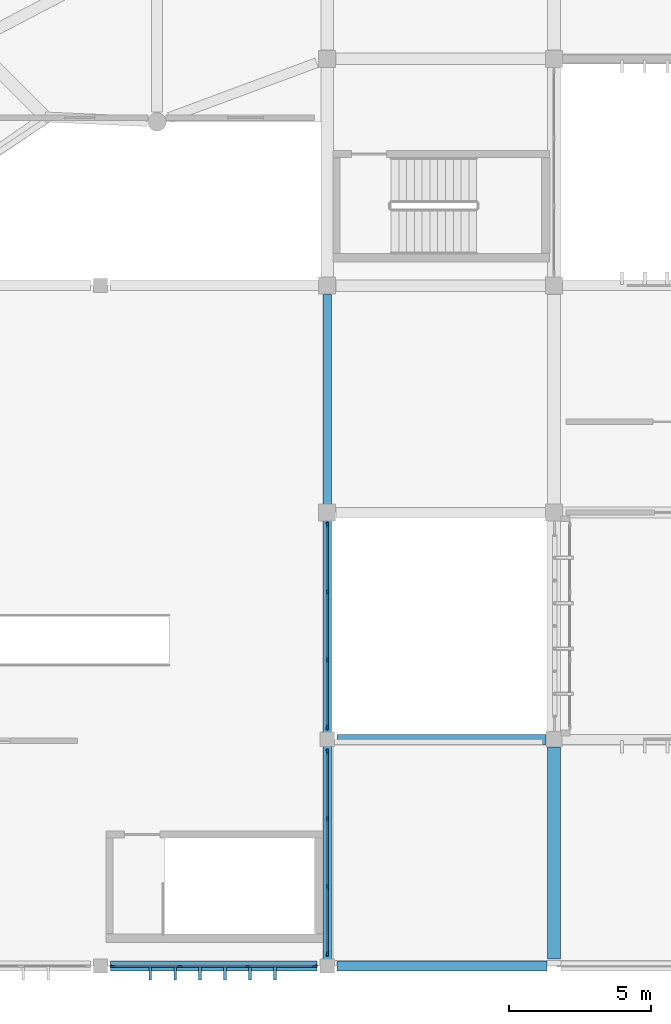
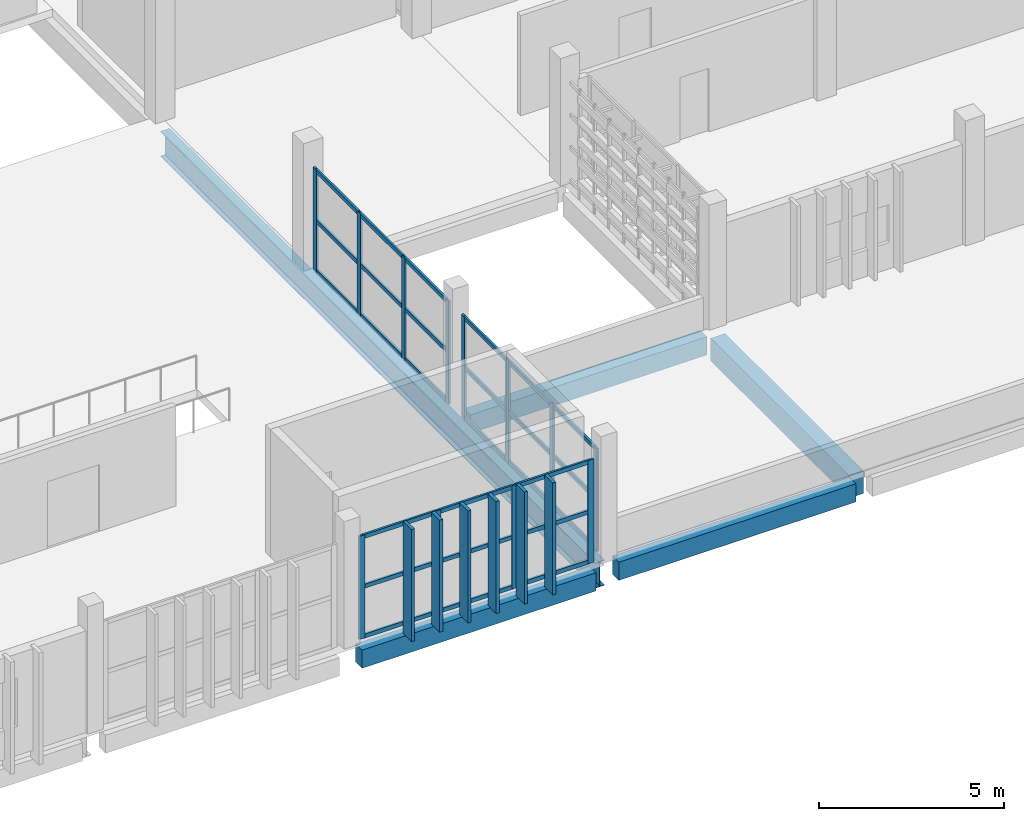
# One storey, part 10 of 137: 45 members, 5 beams, 3 elements without a shape of their own.
"""IFC4 building model written with IfcOpenShell, lengths in metres."""

import ifcopenshell
import ifcopenshell.guid

model = None  # the IFC model being written
_history = None  # IfcOwnerHistory: only IFC2X3 demands one
_inside = {}  # id of a spatial element -> (the spatial element, [elements in it])
_under = {}  # id of a project, library or spatial element -> (it, [spatial elements below it])
_declared = {}  # id of a project -> (the project, [libraries it declares])
_typed = {}  # id of a type object -> (the type object, [elements of that type])
_made_of = {}  # id of a material, layer set ... -> (it, [elements and type objects made of it])


def new_model(schema):
    """Start an empty IFC model of exactly this schema.

    Asked for "IFC4X3", IfcOpenShell would pick the latest addendum, in which some entities
    have other attributes; the version numbers below select the first issue.
    IFC2X3 requires an IfcOwnerHistory on every rooted entity: one is made here for all.
    """
    global model, _history
    if schema == "IFC4X3":
        model = ifcopenshell.file(schema_version=(4, 3, 0, 0))
    else:
        model = ifcopenshell.file(schema=schema)
    _inside.clear()
    _under.clear()
    _declared.clear()
    _typed.clear()
    _made_of.clear()
    _history = None
    if model.schema == "IFC2X3":
        org = make("IfcOrganization", Name="unknown")
        user = make(
            "IfcPersonAndOrganization",
            ThePerson=make("IfcPerson", FamilyName="unknown"),
            TheOrganization=org,
        )
        app = make(
            "IfcApplication",
            ApplicationDeveloper=org,
            Version="unknown",
            ApplicationFullName="unknown",
            ApplicationIdentifier="unknown",
        )
        _history = make(
            "IfcOwnerHistory",
            OwningUser=user,
            OwningApplication=app,
            ChangeAction="ADDED",
            CreationDate=0,
        )
    return model


def make(cls, **values):
    """One entity of the class cls with the attributes given. An attribute that is None is left unset."""
    return model.create_entity(
        cls, **{name: value for name, value in values.items() if value is not None}
    )


def rooted(cls, **values):
    """An entity with a GlobalId (a new one), such as an element, a storey or a relation."""
    return make(cls, GlobalId=ifcopenshell.guid.new(), OwnerHistory=_history, **values)


def si_unit(unit_type, name, prefix=None):
    """IfcSIUnit, for example si_unit("LENGTHUNIT", "METRE", prefix="MILLI")."""
    return make("IfcSIUnit", UnitType=unit_type, Prefix=prefix, Name=name)


def assignment(units):
    """IfcUnitAssignment: the units of a project."""
    return None if units is None else make("IfcUnitAssignment", Units=units)


def point(xyz):
    """IfcCartesianPoint."""
    return None if xyz is None else make("IfcCartesianPoint", Coordinates=xyz)


def direction(xyz):
    """IfcDirection."""
    return None if xyz is None else make("IfcDirection", DirectionRatios=xyz)


def frame(location, z_axis=None, x_axis=None):
    """IfcAxis2Placement3D, a coordinate frame: its origin and axes. An axis left out is left unset."""
    return make(
        "IfcAxis2Placement3D",
        Location=point(location),
        Axis=direction(z_axis),
        RefDirection=direction(x_axis),
    )


def frame_2d(location, x_axis=None):
    """IfcAxis2Placement2D, a coordinate frame in the plane: its origin and x axis."""
    return make(
        "IfcAxis2Placement2D", Location=point(location), RefDirection=direction(x_axis)
    )


def origin():
    """The frame at (0, 0, 0) with its axes left unset."""
    return frame((0.0, 0.0, 0.0))


def origin_2d():
    """The frame at (0, 0) in the plane with its x axis left unset."""
    return frame_2d((0.0, 0.0))


def place(relative_to, where):
    """IfcLocalPlacement: puts the frame where relative to a parent placement (None: the world)."""
    return make(
        "IfcLocalPlacement", PlacementRelTo=relative_to, RelativePlacement=where
    )


def context(
    kind, dimensions, precision=None, world=None, true_north=None, identifier=None
):
    """IfcGeometricRepresentationContext, for example the 3D "Model" context."""
    return make(
        "IfcGeometricRepresentationContext",
        ContextIdentifier=identifier,
        ContextType=kind,
        CoordinateSpaceDimension=dimensions,
        Precision=precision,
        WorldCoordinateSystem=world,
        TrueNorth=true_north,
    )


def subcontext(parent, identifier, kind, view, scale=None):
    """IfcGeometricRepresentationSubContext, for example "Body" below "Model"."""
    return make(
        "IfcGeometricRepresentationSubContext",
        ContextIdentifier=identifier,
        ContextType=kind,
        ParentContext=parent,
        TargetScale=scale,
        TargetView=view,
    )


def project(units=None, contexts=None):
    """IfcProject with its units and contexts."""
    return rooted(
        "IfcProject",
        Name="project",
        RepresentationContexts=contexts,
        UnitsInContext=assignment(units),
    )


def spatial(cls, under=None, at=None, **own):
    """A site, building, storey or space (cls), placed at a placement, below another one or the project."""
    s = rooted(cls, ObjectPlacement=at, **own)
    if under is not None:
        _under.setdefault(under.id(), (under, []))[1].append(s)
    return s


def profile(cls, at=None, kind="AREA", **sizes):
    """A parametric profile (cls). Its sizes go by their IFC names, for example OverallWidth=200.0."""
    return make(cls, ProfileType=kind, Position=at, **sizes)


def rectangle(**sizes):
    """IfcRectangleProfileDef."""
    return profile("IfcRectangleProfileDef", **sizes)


def i_section(**sizes):
    """IfcIShapeProfileDef."""
    return profile("IfcIShapeProfileDef", **sizes)


def extrude(swept, where, along, depth):
    """IfcExtrudedAreaSolid: the profile swept, set in the frame where, extruded along a direction by depth."""
    return make(
        "IfcExtrudedAreaSolid",
        SweptArea=swept,
        Position=where,
        ExtrudedDirection=direction(along),
        Depth=depth,
    )


def shape(context_of_items, identifier, shape_type, items):
    """IfcShapeRepresentation: the items that make up one representation, for example the "Body"."""
    return make(
        "IfcShapeRepresentation",
        ContextOfItems=context_of_items,
        RepresentationIdentifier=identifier,
        RepresentationType=shape_type,
        Items=items,
    )


def material(Name=None, Category=None):
    """IfcMaterial."""
    return make("IfcMaterial", Name=Name, Category=Category)


def layer(
    of_material, thickness, ventilated=None, Name=None, Category=None, Priority=None
):
    """IfcMaterialLayer: one layer of a wall or slab, of a material (None: an air gap)."""
    return make(
        "IfcMaterialLayer",
        Material=of_material,
        LayerThickness=thickness,
        IsVentilated=ventilated,
        Name=Name,
        Category=Category,
        Priority=Priority,
    )


def layer_set(layers, Name=None):
    """IfcMaterialLayerSet."""
    return make("IfcMaterialLayerSet", MaterialLayers=layers, LayerSetName=Name)


def material_profile(
    of_material, cross_section, Name=None, Category=None, Priority=None
):
    """IfcMaterialProfile: a cross section and its material."""
    return make(
        "IfcMaterialProfile",
        Name=Name,
        Material=of_material,
        Profile=cross_section,
        Priority=Priority,
        Category=Category,
    )


def profile_set(profiles, Name=None, composite=None):
    """IfcMaterialProfileSet."""
    return make(
        "IfcMaterialProfileSet",
        Name=Name,
        MaterialProfiles=profiles,
        CompositeProfile=composite,
    )


def made_of(thing, what):
    """Note that an element or type object is made of a material, layer set ...; save() writes the relation."""
    if what is not None:
        _made_of.setdefault(what.id(), (what, []))[1].append(thing)
    return thing


def type_object(cls, material=None, **own):
    """A type object (cls), such as IfcWallType, which elements share."""
    return made_of(rooted(cls, **own), material)


def element(
    cls,
    number,
    at=None,
    inside=None,
    cuts=None,
    type_object=None,
    material=None,
    context=None,
    identifier="Body",
    shape_type=None,
    held_by="IfcProductDefinitionShape",
    body=None,
    shapes=None,
    **own,
):
    """One element of the class cls, such as IfcWall. Its Tag is "e" and its number.

    at: its placement. inside: the storey or other place that contains it. cuts: it is an
    opening in that element (IfcRelVoidsElement). A single representation is given by context,
    identifier, shape_type and body (its items); several are given by shapes. held_by: the class
    of the entity that holds the representations. save() writes the other relations.
    """
    e = rooted(cls, Tag="e%d" % number, ObjectPlacement=at, **own)
    if body is not None:
        shapes = [shape(context, identifier, shape_type, body)]
    if shapes is not None:
        e.Representation = make(held_by, Representations=shapes)
    if inside is not None:
        _inside.setdefault(inside.id(), (inside, []))[1].append(e)
    if cuts is not None:
        rooted(
            "IfcRelVoidsElement", RelatingBuildingElement=cuts, RelatedOpeningElement=e
        )
    if type_object is not None:
        _typed.setdefault(type_object.id(), (type_object, []))[1].append(e)
    return made_of(e, material)


def aggregate(whole, parts):
    """IfcRelAggregates: a whole, such as a stair, and the parts it consists of."""
    return rooted("IfcRelAggregates", RelatingObject=whole, RelatedObjects=parts)


def save(model, path):
    """Write the relations noted so far, then the file.

    IfcRelAggregates (storeys below a building ...), IfcRelContainedInSpatialStructure (elements
    in a storey), IfcRelDefinesByType, IfcRelAssociatesMaterial and IfcRelDeclares: one each for
    every whole, place, type object, material and project.
    """
    for whole, parts in _under.values():
        aggregate(whole, parts)
    for where, things in _inside.values():
        rooted(
            "IfcRelContainedInSpatialStructure",
            RelatedElements=things,
            RelatingStructure=where,
        )
    for kind, things in _typed.values():
        rooted("IfcRelDefinesByType", RelatedObjects=things, RelatingType=kind)
    for what, things in _made_of.values():
        rooted("IfcRelAssociatesMaterial", RelatedObjects=things, RelatingMaterial=what)
    for by, libraries in _declared.values():
        rooted("IfcRelDeclares", RelatingContext=by, RelatedDefinitions=libraries)
    model.write(path)


model = new_model("IFC4")

# Units and contexts
model_context = context("Model", 3, precision=1e-05, world=origin(), true_north=direction((0.0, 1.0)))
body_context = subcontext(model_context, "Body", "Model", "MODEL_VIEW")
ifc_project = project(units=[si_unit("LENGTHUNIT", "METRE"), si_unit("AREAUNIT", "SQUARE_METRE"), si_unit("VOLUMEUNIT", "CUBIC_METRE"), si_unit("PLANEANGLEUNIT", "RADIAN"), si_unit("MASSUNIT", "GRAM", prefix="KILO")], contexts=[model_context])

# Site, building, storey
site_placement = place(None, origin())
site = spatial("IfcSite", under=ifc_project, at=site_placement, CompositionType="ELEMENT")
building_placement = place(site_placement, origin())
building = spatial("IfcBuilding", under=site, at=building_placement, Name="Jelvoka-Kovrelna Polytechnic", CompositionType="ELEMENT")
storey_placement = place(building_placement, frame((0.0, 0.0, 9.60009765625)))
storey = spatial("IfcBuildingStorey", under=building, at=storey_placement, Name="L03", CompositionType="ELEMENT", Elevation=9.60009765625)

# Beams
ifc_material_1 = material(Name="Concrete C40/50", Category="concrete")
ifc_material_profile_1 = material_profile(ifc_material_1, rectangle(XDim=0.449951171875, YDim=0.75, at=origin_2d()), Name="RC 450x750")
ifc_profile_set_1 = profile_set([ifc_material_profile_1], Name="Concrete C40/50")
beam_type_1 = type_object("IfcBeamType", Name="Beam_RC_450x750", PredefinedType="BEAM", material=ifc_profile_set_1)
beam_1_placement = place(storey_placement, frame((56.0, 0.2548828125, -0.565185546875), z_axis=(0.0, 1.0, 0.0), x_axis=(-1.0, 0.0, 0.0)))
element("IfcBeam", 1, at=beam_1_placement, inside=storey, type_object=beam_type_1, Name="L03 beam 2048", PredefinedType="BEAM", context=body_context, shape_type="SweptSolid", body=[
    extrude(rectangle(XDim=0.449951171875, YDim=0.75, at=origin_2d()), origin(), (0.0, 0.0, 1.0), 7.465087890625),
])
ifc_material_2 = material(Name="Structural steel S355JR", Category="steel")
ifc_material_profile_2 = material_profile(ifc_material_2, i_section(OverallWidth=0.291748046875, OverallDepth=0.8349609375, WebThickness=0.013916015625, FlangeThickness=0.018798828125, FilletRadius=0.017822265625, at=origin_2d()), Name="838x292x176 UB")
ifc_profile_set_2 = profile_set([ifc_material_profile_2], Name="Structural steel S355JR")
beam_type_2 = type_object("IfcBeamType", Name="Girder_Steel_UB838", PredefinedType="BEAM", material=ifc_profile_set_2)
beam_2_placement = place(storey_placement, frame((48.0, 0.22998046875, -0.70263671875), z_axis=(0.0, 1.0, 0.0), x_axis=(-1.0, 0.0, 0.0)))
element("IfcBeam", 2, at=beam_2_placement, inside=storey, type_object=beam_type_2, Name="L03 beam 0198", PredefinedType="BEAM", context=body_context, shape_type="SweptSolid", body=[
    extrude(i_section(OverallWidth=0.291748046875, OverallDepth=0.8349609375, WebThickness=0.013916015625, FlangeThickness=0.018798828125, FilletRadius=0.017822265625, at=origin_2d()), origin(), (0.0, 0.0, 1.0), 23.465087890625),
])

# Members
ifc_material_3 = material(Name="Precast concrete C40/50", Category="concrete")
ifc_material_profile_3 = material_profile(ifc_material_3, rectangle(XDim=0.10009765625, YDim=0.449951171875, at=origin_2d()), Name="PC 100x450")
ifc_profile_set_3 = profile_set([ifc_material_profile_3], Name="Precast concrete C40/50")
member_type_1 = type_object("IfcMemberType", Name="Louvre_Fin_100x450", PredefinedType="USERDEFINED", material=ifc_profile_set_3)
for number, where, z_axis, x_axis, name in (
    (3, (41.760009765625, -0.264892578125, -0.2900390625), (0.0, 0.0, 1.0), (1.0, 0.0, 0.0), "L03 V4 south solar louvre fin 2542"),
    (4, (42.639892578125, -0.264892578125, -0.2900390625), (0.0, 0.0, 1.0), (1.0, 0.0, 0.0), "L03 V4 south solar louvre fin 2543"),
    (5, (43.52001953125, -0.264892578125, -0.2900390625), (0.0, 0.0, 1.0), (1.0, 0.0, 0.0), "L03 V4 south solar louvre fin 2544"),
    (6, (44.39990234375, -0.264892578125, -0.2900390625), (0.0, 0.0, 1.0), (1.0, 0.0, 0.0), "L03 V4 south solar louvre fin 2545"),
    (7, (45.280029296875, -0.264892578125, -0.2900390625), (0.0, 0.0, 1.0), (1.0, 0.0, 0.0), "L03 V4 south solar louvre fin 2546"),
    (8, (46.159912109375, -0.264892578125, -0.2900390625), (0.0, 0.0, 1.0), (1.0, 0.0, 0.0), "L03 V4 south solar louvre fin 2547"),
):
    element("IfcMember", number, at=place(storey_placement, frame(where, z_axis=z_axis, x_axis=x_axis)), inside=storey, type_object=member_type_1, Name=name, ObjectType="SUNSHADE", PredefinedType="USERDEFINED", context=body_context, shape_type="SweptSolid", body=[
        extrude(rectangle(XDim=0.10009765625, YDim=0.449951171875, at=origin_2d()), origin(), (0.0, 0.0, 1.0), 3.68994140625),
    ])

# Curtain wall, members
ifc_material_4 = material(Name="Anodised aluminium 6063-T6", Category="aluminium")
ifc_layer = layer(ifc_material_4, 0.179931640625)
ifc_layer_set = layer_set([ifc_layer], Name="Anodised aluminium 6063-T6")
curtain_wall_type = type_object("IfcCurtainWallType", Name="CW_Pavilion", PredefinedType="NOTDEFINED", material=ifc_layer_set)
curtain_wall_1_placement = place(storey_placement, origin())
curtain_wall_1 = element("IfcCurtainWall", 9, at=curtain_wall_1_placement, inside=storey, type_object=curtain_wall_type, Name="L03 glazed curtain wall 287", PredefinedType="NOTDEFINED")
ifc_material_5 = material(Name="Anodised aluminium 6063-T6", Category="aluminium")
ifc_material_profile_4 = material_profile(ifc_material_5, rectangle(XDim=0.06494140625, YDim=0.179931640625, at=origin_2d()), Name="ALU 65x180")
ifc_profile_set_4 = profile_set([ifc_material_profile_4], Name="Anodised aluminium 6063-T6")
member_type_2 = type_object("IfcMemberType", Name="Mullion_M-05", PredefinedType="MULLION", material=ifc_profile_set_4)
member_1_placement = place(storey_placement, frame((47.5673828125, 0.0, -0.02490234375), z_axis=(0.0, 0.0, 1.0), x_axis=(0.0, -1.0, 0.0)))
member_1 = element("IfcMember", 10, at=member_1_placement, type_object=member_type_2, Name="CW-05 mullion 1", PredefinedType="MULLION", context=body_context, shape_type="SweptSolid", body=[
    extrude(rectangle(XDim=0.06494140625, YDim=0.179931640625, at=origin_2d()), origin(), (0.0, 0.0, 1.0), 3.39990234375),
])
member_2_placement = place(storey_placement, frame((45.199951171875, 0.0, -0.02490234375), z_axis=(0.0, 0.0, 1.0), x_axis=(0.0, -1.0, 0.0)))
member_2 = element("IfcMember", 11, at=member_2_placement, type_object=member_type_2, Name="CW-05 mullion 2", PredefinedType="MULLION", context=body_context, shape_type="SweptSolid", body=[
    extrude(rectangle(XDim=0.06494140625, YDim=0.179931640625, at=origin_2d()), origin(), (0.0, 0.0, 1.0), 3.39990234375),
])
member_3_placement = place(storey_placement, frame((42.800048828125, 0.0, -0.02490234375), z_axis=(0.0, 0.0, 1.0), x_axis=(0.0, -1.0, 0.0)))
member_3 = element("IfcMember", 12, at=member_3_placement, type_object=member_type_2, Name="CW-05 mullion 3", PredefinedType="MULLION", context=body_context, shape_type="SweptSolid", body=[
    extrude(rectangle(XDim=0.06494140625, YDim=0.179931640625, at=origin_2d()), origin(), (0.0, 0.0, 1.0), 3.39990234375),
])
member_4_placement = place(storey_placement, frame((40.4326171875, 0.0, -0.02490234375), z_axis=(0.0, 0.0, 1.0), x_axis=(0.0, -1.0, 0.0)))
member_4 = element("IfcMember", 13, at=member_4_placement, type_object=member_type_2, Name="CW-05 mullion 4", PredefinedType="MULLION", context=body_context, shape_type="SweptSolid", body=[
    extrude(rectangle(XDim=0.06494140625, YDim=0.179931640625, at=origin_2d()), origin(), (0.0, 0.0, 1.0), 3.39990234375),
])

curtain_wall_2_placement = place(storey_placement, origin())
curtain_wall_2 = element("IfcCurtainWall", 14, at=curtain_wall_2_placement, inside=storey, type_object=curtain_wall_type, Name="L03 glazed curtain wall 288", PredefinedType="NOTDEFINED")
member_5_placement = place(storey_placement, frame((48.0, 7.5673828125, -0.02490234375), z_axis=(0.0, 0.0, 1.0), x_axis=(1.0, 0.0, 0.0)))
member_5 = element("IfcMember", 15, at=member_5_placement, type_object=member_type_2, Name="CW-05 mullion 1", PredefinedType="MULLION", context=body_context, shape_type="SweptSolid", body=[
    extrude(rectangle(XDim=0.06494140625, YDim=0.179931640625, at=origin_2d()), origin(), (0.0, 0.0, 1.0), 3.39990234375),
])
member_6_placement = place(storey_placement, frame((48.0, 5.199951171875, -0.02490234375), z_axis=(0.0, 0.0, 1.0), x_axis=(1.0, 0.0, 0.0)))
member_6 = element("IfcMember", 16, at=member_6_placement, type_object=member_type_2, Name="CW-05 mullion 2", PredefinedType="MULLION", context=body_context, shape_type="SweptSolid", body=[
    extrude(rectangle(XDim=0.06494140625, YDim=0.179931640625, at=origin_2d()), origin(), (0.0, 0.0, 1.0), 3.39990234375),
])
member_7_placement = place(storey_placement, frame((48.0, 2.800048828125, -0.02490234375), z_axis=(0.0, 0.0, 1.0), x_axis=(1.0, 0.0, 0.0)))
member_7 = element("IfcMember", 17, at=member_7_placement, type_object=member_type_2, Name="CW-05 mullion 3", PredefinedType="MULLION", context=body_context, shape_type="SweptSolid", body=[
    extrude(rectangle(XDim=0.06494140625, YDim=0.179931640625, at=origin_2d()), origin(), (0.0, 0.0, 1.0), 3.39990234375),
])
member_8_placement = place(storey_placement, frame((48.0, 0.4326171875, -0.02490234375), z_axis=(0.0, 0.0, 1.0), x_axis=(1.0, 0.0, 0.0)))
member_8 = element("IfcMember", 18, at=member_8_placement, type_object=member_type_2, Name="CW-05 mullion 4", PredefinedType="MULLION", context=body_context, shape_type="SweptSolid", body=[
    extrude(rectangle(XDim=0.06494140625, YDim=0.179931640625, at=origin_2d()), origin(), (0.0, 0.0, 1.0), 3.39990234375),
])

curtain_wall_3_placement = place(storey_placement, origin())
curtain_wall_3 = element("IfcCurtainWall", 19, at=curtain_wall_3_placement, inside=storey, type_object=curtain_wall_type, Name="L03 glazed curtain wall 289", PredefinedType="NOTDEFINED")
member_9_placement = place(storey_placement, frame((48.0, 15.5673828125, -0.02490234375), z_axis=(0.0, 0.0, 1.0), x_axis=(1.0, 0.0, 0.0)))
member_9 = element("IfcMember", 20, at=member_9_placement, type_object=member_type_2, Name="CW-05 mullion 1", PredefinedType="MULLION", context=body_context, shape_type="SweptSolid", body=[
    extrude(rectangle(XDim=0.06494140625, YDim=0.179931640625, at=origin_2d()), origin(), (0.0, 0.0, 1.0), 3.39990234375),
])
member_10_placement = place(storey_placement, frame((48.0, 13.199951171875, -0.02490234375), z_axis=(0.0, 0.0, 1.0), x_axis=(1.0, 0.0, 0.0)))
member_10 = element("IfcMember", 21, at=member_10_placement, type_object=member_type_2, Name="CW-05 mullion 2", PredefinedType="MULLION", context=body_context, shape_type="SweptSolid", body=[
    extrude(rectangle(XDim=0.06494140625, YDim=0.179931640625, at=origin_2d()), origin(), (0.0, 0.0, 1.0), 3.39990234375),
])
member_11_placement = place(storey_placement, frame((48.0, 10.800048828125, -0.02490234375), z_axis=(0.0, 0.0, 1.0), x_axis=(1.0, 0.0, 0.0)))
member_11 = element("IfcMember", 22, at=member_11_placement, type_object=member_type_2, Name="CW-05 mullion 3", PredefinedType="MULLION", context=body_context, shape_type="SweptSolid", body=[
    extrude(rectangle(XDim=0.06494140625, YDim=0.179931640625, at=origin_2d()), origin(), (0.0, 0.0, 1.0), 3.39990234375),
])
member_12_placement = place(storey_placement, frame((48.0, 8.4326171875, -0.02490234375), z_axis=(0.0, 0.0, 1.0), x_axis=(1.0, 0.0, 0.0)))
member_12 = element("IfcMember", 23, at=member_12_placement, type_object=member_type_2, Name="CW-05 mullion 4", PredefinedType="MULLION", context=body_context, shape_type="SweptSolid", body=[
    extrude(rectangle(XDim=0.06494140625, YDim=0.179931640625, at=origin_2d()), origin(), (0.0, 0.0, 1.0), 3.39990234375),
])

# Beams
ifc_material_6 = material(Name="Concrete C40/50", Category="concrete")
ifc_material_profile_5 = material_profile(ifc_material_6, rectangle(XDim=0.35009765625, YDim=0.60009765625, at=origin_2d()), Name="RC 350x600")
ifc_profile_set_5 = profile_set([ifc_material_profile_5], Name="Concrete C40/50")
beam_type_3 = type_object("IfcBeamType", Name="Spandrel_RC_350x600", PredefinedType="SPANDREL", material=ifc_profile_set_5)
beam_3_placement = place(storey_placement, frame((40.35498046875, 0.0, -0.585205078125), z_axis=(1.0, 0.0, 0.0), x_axis=(0.0, 1.0, 0.0)))
element("IfcBeam", 24, at=beam_3_placement, inside=storey, type_object=beam_type_3, Name="L03 beam 0205", PredefinedType="SPANDREL", context=body_context, shape_type="SweptSolid", body=[
    extrude(rectangle(XDim=0.35009765625, YDim=0.60009765625, at=origin_2d()), origin(), (0.0, 0.0, 1.0), 7.2900390625),
])
beam_4_placement = place(storey_placement, frame((48.35498046875, 0.0, -0.489990234375), z_axis=(1.0, 0.0, 0.0), x_axis=(0.0, 1.0, 0.0)))
element("IfcBeam", 25, at=beam_4_placement, inside=storey, type_object=beam_type_3, Name="L03 beam 2033", PredefinedType="SPANDREL", context=body_context, shape_type="SweptSolid", body=[
    extrude(rectangle(XDim=0.35009765625, YDim=0.60009765625, at=origin_2d()), origin(), (0.0, 0.0, 1.0), 7.39013671875),
])
beam_5_placement = place(storey_placement, frame((48.35498046875, 8.0, -0.489990234375), z_axis=(1.0, 0.0, 0.0), x_axis=(0.0, 1.0, 0.0)))
element("IfcBeam", 26, at=beam_5_placement, inside=storey, type_object=beam_type_3, Name="L03 beam 2047", PredefinedType="SPANDREL", context=body_context, shape_type="SweptSolid", body=[
    extrude(rectangle(XDim=0.35009765625, YDim=0.60009765625, at=origin_2d()), origin(), (0.0, 0.0, 1.0), 7.364990234375),
])

# Member
ifc_material_7 = material(Name="Anodised aluminium 6063-T6", Category="aluminium")
ifc_material_profile_6 = material_profile(ifc_material_7, rectangle(XDim=0.06494140625, YDim=0.135009765625, at=origin_2d()), Name="ALU 65x135")
ifc_profile_set_6 = profile_set([ifc_material_profile_6], Name="Anodised aluminium 6063-T6")
member_type_3 = type_object("IfcMemberType", Name="Transom_T-05", PredefinedType="USERDEFINED", material=ifc_profile_set_6)
member_13_placement = place(storey_placement, frame((47.534912109375, 0.0, 0.032470703125), z_axis=(-1.0, 0.0, 0.0), x_axis=(0.0, -1.0, 0.0)))
member_13 = element("IfcMember", 27, at=member_13_placement, type_object=member_type_3, Name="CW-05 transom 1.1", ObjectType="TRANSOM", PredefinedType="USERDEFINED", context=body_context, shape_type="SweptSolid", body=[
    extrude(rectangle(XDim=0.06494140625, YDim=0.135009765625, at=origin_2d()), origin(), (0.0, 0.0, 1.0), 2.302490234375),
])

member_14_placement = place(storey_placement, frame((47.534912109375, 0.0, 1.6748046875), z_axis=(-1.0, 0.0, 0.0), x_axis=(0.0, -1.0, 0.0)))
member_14 = element("IfcMember", 28, at=member_14_placement, type_object=member_type_3, Name="CW-05 transom 1.2", ObjectType="TRANSOM", PredefinedType="USERDEFINED", context=body_context, shape_type="SweptSolid", body=[
    extrude(rectangle(XDim=0.06494140625, YDim=0.135009765625, at=origin_2d()), origin(), (0.0, 0.0, 1.0), 2.302490234375),
])

member_15_placement = place(storey_placement, frame((47.534912109375, 0.0, 3.3173828125), z_axis=(-1.0, 0.0, 0.0), x_axis=(0.0, -1.0, 0.0)))
member_15 = element("IfcMember", 29, at=member_15_placement, type_object=member_type_3, Name="CW-05 transom 1.3", ObjectType="TRANSOM", PredefinedType="USERDEFINED", context=body_context, shape_type="SweptSolid", body=[
    extrude(rectangle(XDim=0.06494140625, YDim=0.135009765625, at=origin_2d()), origin(), (0.0, 0.0, 1.0), 2.302490234375),
])

member_16_placement = place(storey_placement, frame((45.16748046875, 0.0, 0.032470703125), z_axis=(-1.0, 0.0, 0.0), x_axis=(0.0, -1.0, 0.0)))
member_16 = element("IfcMember", 30, at=member_16_placement, type_object=member_type_3, Name="CW-05 transom 2.1", ObjectType="TRANSOM", PredefinedType="USERDEFINED", context=body_context, shape_type="SweptSolid", body=[
    extrude(rectangle(XDim=0.06494140625, YDim=0.135009765625, at=origin_2d()), origin(), (0.0, 0.0, 1.0), 2.3349609375),
])

member_17_placement = place(storey_placement, frame((45.16748046875, 0.0, 1.6748046875), z_axis=(-1.0, 0.0, 0.0), x_axis=(0.0, -1.0, 0.0)))
member_17 = element("IfcMember", 31, at=member_17_placement, type_object=member_type_3, Name="CW-05 transom 2.2", ObjectType="TRANSOM", PredefinedType="USERDEFINED", context=body_context, shape_type="SweptSolid", body=[
    extrude(rectangle(XDim=0.06494140625, YDim=0.135009765625, at=origin_2d()), origin(), (0.0, 0.0, 1.0), 2.3349609375),
])

member_18_placement = place(storey_placement, frame((45.16748046875, 0.0, 3.3173828125), z_axis=(-1.0, 0.0, 0.0), x_axis=(0.0, -1.0, 0.0)))
member_18 = element("IfcMember", 32, at=member_18_placement, type_object=member_type_3, Name="CW-05 transom 2.3", ObjectType="TRANSOM", PredefinedType="USERDEFINED", context=body_context, shape_type="SweptSolid", body=[
    extrude(rectangle(XDim=0.06494140625, YDim=0.135009765625, at=origin_2d()), origin(), (0.0, 0.0, 1.0), 2.3349609375),
])

member_19_placement = place(storey_placement, frame((42.767578125, 0.0, 0.032470703125), z_axis=(-1.0, 0.0, 0.0), x_axis=(0.0, -1.0, 0.0)))
member_19 = element("IfcMember", 33, at=member_19_placement, type_object=member_type_3, Name="CW-05 transom 3.1", ObjectType="TRANSOM", PredefinedType="USERDEFINED", context=body_context, shape_type="SweptSolid", body=[
    extrude(rectangle(XDim=0.06494140625, YDim=0.135009765625, at=origin_2d()), origin(), (0.0, 0.0, 1.0), 2.302490234375),
])

member_20_placement = place(storey_placement, frame((42.767578125, 0.0, 1.6748046875), z_axis=(-1.0, 0.0, 0.0), x_axis=(0.0, -1.0, 0.0)))
member_20 = element("IfcMember", 34, at=member_20_placement, type_object=member_type_3, Name="CW-05 transom 3.2", ObjectType="TRANSOM", PredefinedType="USERDEFINED", context=body_context, shape_type="SweptSolid", body=[
    extrude(rectangle(XDim=0.06494140625, YDim=0.135009765625, at=origin_2d()), origin(), (0.0, 0.0, 1.0), 2.302490234375),
])

member_21_placement = place(storey_placement, frame((42.767578125, 0.0, 3.3173828125), z_axis=(-1.0, 0.0, 0.0), x_axis=(0.0, -1.0, 0.0)))
member_21 = element("IfcMember", 35, at=member_21_placement, type_object=member_type_3, Name="CW-05 transom 3.3", ObjectType="TRANSOM", PredefinedType="USERDEFINED", context=body_context, shape_type="SweptSolid", body=[
    extrude(rectangle(XDim=0.06494140625, YDim=0.135009765625, at=origin_2d()), origin(), (0.0, 0.0, 1.0), 2.302490234375),
])

aggregate(curtain_wall_1, [member_1, member_2, member_3, member_4, member_13, member_14, member_15, member_16, member_17, member_18, member_19, member_20, member_21])

member_22_placement = place(storey_placement, frame((48.0, 7.534912109375, 0.032470703125), z_axis=(0.0, -1.0, 0.0), x_axis=(1.0, 0.0, 0.0)))
member_22 = element("IfcMember", 36, at=member_22_placement, type_object=member_type_3, Name="CW-05 transom 1.1", ObjectType="TRANSOM", PredefinedType="USERDEFINED", context=body_context, shape_type="SweptSolid", body=[
    extrude(rectangle(XDim=0.06494140625, YDim=0.135009765625, at=origin_2d()), origin(), (0.0, 0.0, 1.0), 2.302490234375),
])

member_23_placement = place(storey_placement, frame((48.0, 7.534912109375, 1.6748046875), z_axis=(0.0, -1.0, 0.0), x_axis=(1.0, 0.0, 0.0)))
member_23 = element("IfcMember", 37, at=member_23_placement, type_object=member_type_3, Name="CW-05 transom 1.2", ObjectType="TRANSOM", PredefinedType="USERDEFINED", context=body_context, shape_type="SweptSolid", body=[
    extrude(rectangle(XDim=0.06494140625, YDim=0.135009765625, at=origin_2d()), origin(), (0.0, 0.0, 1.0), 2.302490234375),
])

member_24_placement = place(storey_placement, frame((48.0, 7.534912109375, 3.3173828125), z_axis=(0.0, -1.0, 0.0), x_axis=(1.0, 0.0, 0.0)))
member_24 = element("IfcMember", 38, at=member_24_placement, type_object=member_type_3, Name="CW-05 transom 1.3", ObjectType="TRANSOM", PredefinedType="USERDEFINED", context=body_context, shape_type="SweptSolid", body=[
    extrude(rectangle(XDim=0.06494140625, YDim=0.135009765625, at=origin_2d()), origin(), (0.0, 0.0, 1.0), 2.302490234375),
])

member_25_placement = place(storey_placement, frame((48.0, 5.16748046875, 0.032470703125), z_axis=(0.0, -1.0, 0.0), x_axis=(1.0, 0.0, 0.0)))
member_25 = element("IfcMember", 39, at=member_25_placement, type_object=member_type_3, Name="CW-05 transom 2.1", ObjectType="TRANSOM", PredefinedType="USERDEFINED", context=body_context, shape_type="SweptSolid", body=[
    extrude(rectangle(XDim=0.06494140625, YDim=0.135009765625, at=origin_2d()), origin(), (0.0, 0.0, 1.0), 2.3349609375),
])

member_26_placement = place(storey_placement, frame((48.0, 5.16748046875, 1.6748046875), z_axis=(0.0, -1.0, 0.0), x_axis=(1.0, 0.0, 0.0)))
member_26 = element("IfcMember", 40, at=member_26_placement, type_object=member_type_3, Name="CW-05 transom 2.2", ObjectType="TRANSOM", PredefinedType="USERDEFINED", context=body_context, shape_type="SweptSolid", body=[
    extrude(rectangle(XDim=0.06494140625, YDim=0.135009765625, at=origin_2d()), origin(), (0.0, 0.0, 1.0), 2.3349609375),
])

member_27_placement = place(storey_placement, frame((48.0, 5.16748046875, 3.3173828125), z_axis=(0.0, -1.0, 0.0), x_axis=(1.0, 0.0, 0.0)))
member_27 = element("IfcMember", 41, at=member_27_placement, type_object=member_type_3, Name="CW-05 transom 2.3", ObjectType="TRANSOM", PredefinedType="USERDEFINED", context=body_context, shape_type="SweptSolid", body=[
    extrude(rectangle(XDim=0.06494140625, YDim=0.135009765625, at=origin_2d()), origin(), (0.0, 0.0, 1.0), 2.3349609375),
])

member_28_placement = place(storey_placement, frame((48.0, 2.767578125, 0.032470703125), z_axis=(0.0, -1.0, 0.0), x_axis=(1.0, 0.0, 0.0)))
member_28 = element("IfcMember", 42, at=member_28_placement, type_object=member_type_3, Name="CW-05 transom 3.1", ObjectType="TRANSOM", PredefinedType="USERDEFINED", context=body_context, shape_type="SweptSolid", body=[
    extrude(rectangle(XDim=0.06494140625, YDim=0.135009765625, at=origin_2d()), origin(), (0.0, 0.0, 1.0), 2.302490234375),
])

member_29_placement = place(storey_placement, frame((48.0, 2.767578125, 1.6748046875), z_axis=(0.0, -1.0, 0.0), x_axis=(1.0, 0.0, 0.0)))
member_29 = element("IfcMember", 43, at=member_29_placement, type_object=member_type_3, Name="CW-05 transom 3.2", ObjectType="TRANSOM", PredefinedType="USERDEFINED", context=body_context, shape_type="SweptSolid", body=[
    extrude(rectangle(XDim=0.06494140625, YDim=0.135009765625, at=origin_2d()), origin(), (0.0, 0.0, 1.0), 2.302490234375),
])

member_30_placement = place(storey_placement, frame((48.0, 2.767578125, 3.3173828125), z_axis=(0.0, -1.0, 0.0), x_axis=(1.0, 0.0, 0.0)))
member_30 = element("IfcMember", 44, at=member_30_placement, type_object=member_type_3, Name="CW-05 transom 3.3", ObjectType="TRANSOM", PredefinedType="USERDEFINED", context=body_context, shape_type="SweptSolid", body=[
    extrude(rectangle(XDim=0.06494140625, YDim=0.135009765625, at=origin_2d()), origin(), (0.0, 0.0, 1.0), 2.302490234375),
])

aggregate(curtain_wall_2, [member_5, member_6, member_7, member_8, member_22, member_23, member_24, member_25, member_26, member_27, member_28, member_29, member_30])

member_31_placement = place(storey_placement, frame((48.0, 15.534912109375, 0.032470703125), z_axis=(0.0, -1.0, 0.0), x_axis=(1.0, 0.0, 0.0)))
member_31 = element("IfcMember", 45, at=member_31_placement, type_object=member_type_3, Name="CW-05 transom 1.1", ObjectType="TRANSOM", PredefinedType="USERDEFINED", context=body_context, shape_type="SweptSolid", body=[
    extrude(rectangle(XDim=0.06494140625, YDim=0.135009765625, at=origin_2d()), origin(), (0.0, 0.0, 1.0), 2.302490234375),
])

member_32_placement = place(storey_placement, frame((48.0, 15.534912109375, 1.6748046875), z_axis=(0.0, -1.0, 0.0), x_axis=(1.0, 0.0, 0.0)))
member_32 = element("IfcMember", 46, at=member_32_placement, type_object=member_type_3, Name="CW-05 transom 1.2", ObjectType="TRANSOM", PredefinedType="USERDEFINED", context=body_context, shape_type="SweptSolid", body=[
    extrude(rectangle(XDim=0.06494140625, YDim=0.135009765625, at=origin_2d()), origin(), (0.0, 0.0, 1.0), 2.302490234375),
])

member_33_placement = place(storey_placement, frame((48.0, 15.534912109375, 3.3173828125), z_axis=(0.0, -1.0, 0.0), x_axis=(1.0, 0.0, 0.0)))
member_33 = element("IfcMember", 47, at=member_33_placement, type_object=member_type_3, Name="CW-05 transom 1.3", ObjectType="TRANSOM", PredefinedType="USERDEFINED", context=body_context, shape_type="SweptSolid", body=[
    extrude(rectangle(XDim=0.06494140625, YDim=0.135009765625, at=origin_2d()), origin(), (0.0, 0.0, 1.0), 2.302490234375),
])

member_34_placement = place(storey_placement, frame((48.0, 13.16748046875, 0.032470703125), z_axis=(0.0, -1.0, 0.0), x_axis=(1.0, 0.0, 0.0)))
member_34 = element("IfcMember", 48, at=member_34_placement, type_object=member_type_3, Name="CW-05 transom 2.1", ObjectType="TRANSOM", PredefinedType="USERDEFINED", context=body_context, shape_type="SweptSolid", body=[
    extrude(rectangle(XDim=0.06494140625, YDim=0.135009765625, at=origin_2d()), origin(), (0.0, 0.0, 1.0), 2.3349609375),
])

member_35_placement = place(storey_placement, frame((48.0, 13.16748046875, 1.6748046875), z_axis=(0.0, -1.0, 0.0), x_axis=(1.0, 0.0, 0.0)))
member_35 = element("IfcMember", 49, at=member_35_placement, type_object=member_type_3, Name="CW-05 transom 2.2", ObjectType="TRANSOM", PredefinedType="USERDEFINED", context=body_context, shape_type="SweptSolid", body=[
    extrude(rectangle(XDim=0.06494140625, YDim=0.135009765625, at=origin_2d()), origin(), (0.0, 0.0, 1.0), 2.3349609375),
])

member_36_placement = place(storey_placement, frame((48.0, 13.16748046875, 3.3173828125), z_axis=(0.0, -1.0, 0.0), x_axis=(1.0, 0.0, 0.0)))
member_36 = element("IfcMember", 50, at=member_36_placement, type_object=member_type_3, Name="CW-05 transom 2.3", ObjectType="TRANSOM", PredefinedType="USERDEFINED", context=body_context, shape_type="SweptSolid", body=[
    extrude(rectangle(XDim=0.06494140625, YDim=0.135009765625, at=origin_2d()), origin(), (0.0, 0.0, 1.0), 2.3349609375),
])

member_37_placement = place(storey_placement, frame((48.0, 10.767578125, 0.032470703125), z_axis=(0.0, -1.0, 0.0), x_axis=(1.0, 0.0, 0.0)))
member_37 = element("IfcMember", 51, at=member_37_placement, type_object=member_type_3, Name="CW-05 transom 3.1", ObjectType="TRANSOM", PredefinedType="USERDEFINED", context=body_context, shape_type="SweptSolid", body=[
    extrude(rectangle(XDim=0.06494140625, YDim=0.135009765625, at=origin_2d()), origin(), (0.0, 0.0, 1.0), 2.302490234375),
])

member_38_placement = place(storey_placement, frame((48.0, 10.767578125, 1.6748046875), z_axis=(0.0, -1.0, 0.0), x_axis=(1.0, 0.0, 0.0)))
member_38 = element("IfcMember", 52, at=member_38_placement, type_object=member_type_3, Name="CW-05 transom 3.2", ObjectType="TRANSOM", PredefinedType="USERDEFINED", context=body_context, shape_type="SweptSolid", body=[
    extrude(rectangle(XDim=0.06494140625, YDim=0.135009765625, at=origin_2d()), origin(), (0.0, 0.0, 1.0), 2.302490234375),
])

member_39_placement = place(storey_placement, frame((48.0, 10.767578125, 3.3173828125), z_axis=(0.0, -1.0, 0.0), x_axis=(1.0, 0.0, 0.0)))
member_39 = element("IfcMember", 53, at=member_39_placement, type_object=member_type_3, Name="CW-05 transom 3.3", ObjectType="TRANSOM", PredefinedType="USERDEFINED", context=body_context, shape_type="SweptSolid", body=[
    extrude(rectangle(XDim=0.06494140625, YDim=0.135009765625, at=origin_2d()), origin(), (0.0, 0.0, 1.0), 2.302490234375),
])

aggregate(curtain_wall_3, [member_9, member_10, member_11, member_12, member_31, member_32, member_33, member_34, member_35, member_36, member_37, member_38, member_39])

save(model, "model.ifc")
